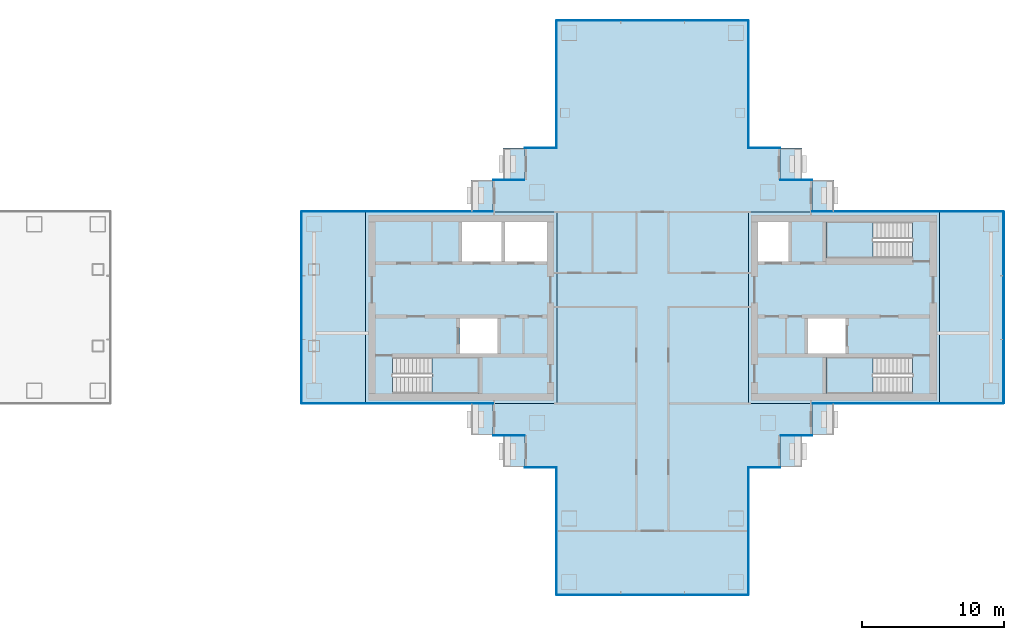
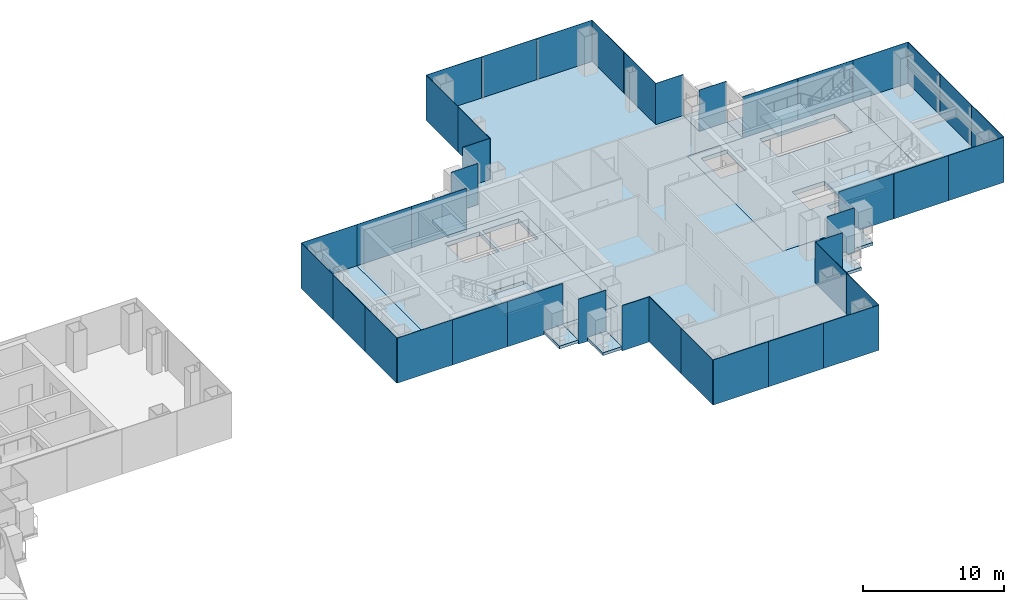
# One storey, part 8 of 17: 40 plates, 16 slabs, 23 elements without a shape of their own.
"""IFC4 building model written with IfcOpenShell, lengths in metres."""

from ifc_helpers import new_model, si_unit, direction, frame, origin, origin_2d, place, context, subcontext, project, spatial, polyline, rectangle, outline, extrude, material, layer, layer_set, type_object, element, aggregate, save


model = new_model("IFC4")

# Units and contexts
model_context = context("Model", 3, precision=1e-05, world=origin(), true_north=direction((0.0, 1.0)))
body_context = subcontext(model_context, "Body", "Model", "MODEL_VIEW")
ifc_project = project(units=[si_unit("LENGTHUNIT", "METRE"), si_unit("AREAUNIT", "SQUARE_METRE"), si_unit("VOLUMEUNIT", "CUBIC_METRE"), si_unit("PLANEANGLEUNIT", "RADIAN"), si_unit("MASSUNIT", "GRAM", prefix="KILO")], contexts=[model_context])

# Site, building, storey
site_placement = place(None, origin())
site = spatial("IfcSite", under=ifc_project, at=site_placement, CompositionType="ELEMENT")
building_placement = place(site_placement, origin())
building = spatial("IfcBuilding", under=site, at=building_placement, Name="Shamsa Quay Exchange Towers", CompositionType="ELEMENT")
storey_placement = place(building_placement, frame((0.0, 0.0, 174.0)))
storey = spatial("IfcBuildingStorey", under=building, at=storey_placement, Name="L41", CompositionType="ELEMENT", Elevation=174.0)

# Slabs
ifc_material_1 = material(Name="Precast concrete C40/50", Category="concrete")
ifc_layer_1 = layer(ifc_material_1, 0.25)
ifc_layer_set_1 = layer_set([ifc_layer_1], Name="BALCONY SLAB 250")
slab_type_1 = type_object("IfcSlabType", Name="BALCONY SLAB 250", PredefinedType="FLOOR", material=ifc_layer_set_1)
slab_1_placement = place(storey_placement, frame((0.0, 0.0, -0.25)))
element("IfcSlab", 1, at=slab_1_placement, inside=storey, type_object=slab_type_1, Name="Balcony T2-PKEN L41", PredefinedType="FLOOR", context=body_context, shape_type="SweptSolid", body=[
    extrude(outline(polyline([(24.75, 11.25), (24.75, 9.0380859375), (23.199951171875, 9.0380859375), (23.199951171875, 11.25), (24.75, 11.25)])), origin(), (0.0, 0.0, 1.0), 0.25),
])
slab_2_placement = place(storey_placement, frame((0.0, 0.0, -0.25)))
element("IfcSlab", 2, at=slab_2_placement, inside=storey, type_object=slab_type_1, Name="Balcony T2-PKEN L41", PredefinedType="FLOOR", context=body_context, shape_type="SweptSolid", body=[
    extrude(outline(polyline([(22.5, 9.0), (22.5, 6.7880859375), (20.949951171875, 6.7880859375), (20.949951171875, 9.0), (22.5, 9.0)])), origin(), (0.0, 0.0, 1.0), 0.25),
])
slab_3_placement = place(storey_placement, frame((0.0, 0.0, -0.25)))
element("IfcSlab", 3, at=slab_3_placement, inside=storey, type_object=slab_type_1, Name="Balcony T2-PKES L41", PredefinedType="FLOOR", context=body_context, shape_type="SweptSolid", body=[
    extrude(outline(polyline([(42.75, 9.0380859375), (42.75, 11.25), (44.300048828125, 11.25), (44.300048828125, 9.0380859375), (42.75, 9.0380859375)])), origin(), (0.0, 0.0, 1.0), 0.25),
])
slab_4_placement = place(storey_placement, frame((0.0, 0.0, -0.25)))
element("IfcSlab", 4, at=slab_4_placement, inside=storey, type_object=slab_type_1, Name="Balcony T2-PKES L41", PredefinedType="FLOOR", context=body_context, shape_type="SweptSolid", body=[
    extrude(outline(polyline([(45.0, 6.7880859375), (45.0, 9.0), (46.550048828125, 9.0), (46.550048828125, 6.7880859375), (45.0, 6.7880859375)])), origin(), (0.0, 0.0, 1.0), 0.25),
])
slab_5_placement = place(storey_placement, frame((0.0, 0.0, -0.25)))
element("IfcSlab", 5, at=slab_5_placement, inside=storey, type_object=slab_type_1, Name="Balcony T2-PKWN L41", PredefinedType="FLOOR", context=body_context, shape_type="SweptSolid", body=[
    extrude(outline(polyline([(22.5, -6.7880859375), (22.5, -9.0), (20.949951171875, -9.0), (20.949951171875, -6.7880859375), (22.5, -6.7880859375)])), origin(), (0.0, 0.0, 1.0), 0.25),
])
slab_6_placement = place(storey_placement, frame((0.0, 0.0, -0.25)))
element("IfcSlab", 6, at=slab_6_placement, inside=storey, type_object=slab_type_1, Name="Balcony T2-PKWN L41", PredefinedType="FLOOR", context=body_context, shape_type="SweptSolid", body=[
    extrude(outline(polyline([(24.75, -9.0380859375), (24.75, -11.25), (23.199951171875, -11.25), (23.199951171875, -9.0380859375), (24.75, -9.0380859375)])), origin(), (0.0, 0.0, 1.0), 0.25),
])
slab_7_placement = place(storey_placement, frame((0.0, 0.0, -0.25)))
element("IfcSlab", 7, at=slab_7_placement, inside=storey, type_object=slab_type_1, Name="Balcony T2-PKWS L41", PredefinedType="FLOOR", context=body_context, shape_type="SweptSolid", body=[
    extrude(outline(polyline([(42.75, -11.25), (42.75, -9.0380859375), (44.300048828125, -9.0380859375), (44.300048828125, -11.25), (42.75, -11.25)])), origin(), (0.0, 0.0, 1.0), 0.25),
])
slab_8_placement = place(storey_placement, frame((0.0, 0.0, -0.25)))
element("IfcSlab", 8, at=slab_8_placement, inside=storey, type_object=slab_type_1, Name="Balcony T2-PKWS L41", PredefinedType="FLOOR", context=body_context, shape_type="SweptSolid", body=[
    extrude(outline(polyline([(45.0, -9.0), (45.0, -6.7880859375), (46.550048828125, -6.7880859375), (46.550048828125, -9.0), (45.0, -9.0)])), origin(), (0.0, 0.0, 1.0), 0.25),
])
ifc_material_2 = material(Name="Concrete C50/60", Category="concrete")
ifc_layer_2 = layer(ifc_material_2, 0.35009765625)
ifc_layer_set_2 = layer_set([ifc_layer_2], Name="CORE FLOOR 350 C50/60")
slab_type_2 = type_object("IfcSlabType", Name="CORE FLOOR 350 C50/60", PredefinedType="FLOOR", material=ifc_layer_set_2)
slab_9_placement = place(storey_placement, frame((0.0, 0.0, -0.35009765625)))
element("IfcSlab", 9, at=slab_9_placement, inside=storey, type_object=slab_type_2, Name="Core floor T2A", PredefinedType="FLOOR", context=body_context, shape_type="SweptSolid", body=[
    extrude(outline(polyline([(13.5, -6.75), (27.0, -6.75), (27.0, 6.75), (13.5, 6.75), (13.5, -6.75)]), holes=[polyline([(15.400634765625, -6.050048828125), (15.400634765625, -3.5), (21.5, -3.5), (21.5, -6.050048828125), (15.400634765625, -6.050048828125)]), polyline([(20.300048828125, 3.25), (20.300048828125, 6.050048828125), (23.10009765625, 6.050048828125), (23.10009765625, 3.25), (20.300048828125, 3.25)]), polyline([(23.35009765625, 3.25), (23.35009765625, 6.050048828125), (26.300048828125, 6.050048828125), (26.300048828125, 3.25), (23.35009765625, 3.25)]), polyline([(20.14990234375, -3.25), (20.14990234375, -0.75), (22.800048828125, -0.75), (22.800048828125, -3.25), (20.14990234375, -3.25)])]), origin(), (0.0, 0.0, 1.0), 0.35009765625),
])
slab_10_placement = place(storey_placement, frame((0.0, 0.0, -0.35009765625)))
element("IfcSlab", 10, at=slab_10_placement, inside=storey, type_object=slab_type_2, Name="Core floor T2B", PredefinedType="FLOOR", context=body_context, shape_type="SweptSolid", body=[
    extrude(outline(polyline([(54.0, -6.75), (54.0, 6.75), (40.5, 6.75), (40.5, -6.75), (54.0, -6.75)]), holes=[polyline([(52.099365234375, -3.5), (52.099365234375, -6.050048828125), (46.0, -6.050048828125), (46.0, -3.5), (52.099365234375, -3.5)]), polyline([(52.099365234375, 6.050048828125), (52.099365234375, 3.5), (46.0, 3.5), (46.0, 6.050048828125), (52.099365234375, 6.050048828125)]), polyline([(43.35009765625, 3.25), (41.199951171875, 3.25), (41.199951171875, 6.050048828125), (43.35009765625, 6.050048828125), (43.35009765625, 3.25)]), polyline([(47.35009765625, -3.25), (44.699951171875, -3.25), (44.699951171875, -0.75), (47.35009765625, -0.75), (47.35009765625, -3.25)])]), origin(), (0.0, 0.0, 1.0), 0.35009765625),
])

# Stair, slab
ifc_material_3 = material(Name="Concrete C40/50", Category="concrete")
stair_type = type_object("IfcStairType", Name="EXIT STAIR 22 RISERS 177 MM", PredefinedType="HALF_TURN_STAIR", material=ifc_material_3)
stair_1_placement = place(storey_placement, origin())
stair_1 = element("IfcStair", 11, at=stair_1_placement, inside=storey, type_object=stair_type, Name="L41 Exit stair ST4", PredefinedType="HALF_TURN_STAIR")
ifc_layer_3 = layer(ifc_material_3, 0.199951171875)
ifc_layer_set_3 = layer_set([ifc_layer_3], Name="CORE STAIR LANDING")
slab_type_3 = type_object("IfcSlabType", Name="CORE STAIR LANDING", PredefinedType="LANDING", material=ifc_layer_set_3)
slab_11_placement = place(storey_placement, frame((0.0, 0.0, 1.75)))
slab_11 = element("IfcSlab", 12, at=slab_11_placement, type_object=slab_type_3, Name="ST4 landing 1", PredefinedType="LANDING", context=body_context, shape_type="SweptSolid", body=[
    extrude(outline(polyline([(18.199951171875, -6.050048828125), (21.5, -6.050048828125), (21.5, -3.5), (18.199951171875, -3.5), (18.199951171875, -6.050048828125)])), origin(), (0.0, 0.0, 1.0), 0.199951171875),
])
aggregate(stair_1, [slab_11])

stair_2_placement = place(storey_placement, origin())
stair_2 = element("IfcStair", 13, at=stair_2_placement, inside=storey, type_object=stair_type, Name="L41 Exit stair ST5", PredefinedType="HALF_TURN_STAIR")
slab_12_placement = place(storey_placement, frame((0.0, 0.0, 1.75)))
slab_12 = element("IfcSlab", 14, at=slab_12_placement, type_object=slab_type_3, Name="ST5 landing 1", PredefinedType="LANDING", context=body_context, shape_type="SweptSolid", body=[
    extrude(outline(polyline([(49.300048828125, -3.5), (46.0, -3.5), (46.0, -6.050048828125), (49.300048828125, -6.050048828125), (49.300048828125, -3.5)])), origin(), (0.0, 0.0, 1.0), 0.199951171875),
])
aggregate(stair_2, [slab_12])

stair_3_placement = place(storey_placement, origin())
stair_3 = element("IfcStair", 15, at=stair_3_placement, inside=storey, type_object=stair_type, Name="L41 Exit stair ST6", PredefinedType="HALF_TURN_STAIR")
slab_13_placement = place(storey_placement, frame((0.0, 0.0, 1.75)))
slab_13 = element("IfcSlab", 16, at=slab_13_placement, type_object=slab_type_3, Name="ST6 landing 1", PredefinedType="LANDING", context=body_context, shape_type="SweptSolid", body=[
    extrude(outline(polyline([(49.300048828125, 6.050048828125), (46.0, 6.050048828125), (46.0, 3.5), (49.300048828125, 3.5), (49.300048828125, 6.050048828125)])), origin(), (0.0, 0.0, 1.0), 0.199951171875),
])
aggregate(stair_3, [slab_13])

# Curtain wall, plate
ifc_material_4 = material(Name="Aluminium EN AW-6063 T6, black anodised", Category="aluminium")
ifc_layer_4 = layer(ifc_material_4, 0.280029296875)
ifc_layer_set_4 = layer_set([ifc_layer_4], Name="CW-1 UNITISED VISION GLASS")
curtain_wall_type_1 = type_object("IfcCurtainWallType", Name="CW-1 UNITISED VISION GLASS", PredefinedType="NOTDEFINED", material=ifc_layer_set_4)
curtain_wall_1_placement = place(storey_placement, origin())
curtain_wall_1 = element("IfcCurtainWall", 17, at=curtain_wall_1_placement, inside=storey, type_object=curtain_wall_type_1, Name="CW1 T2-FLK-V-W L41", PredefinedType="NOTDEFINED")
ifc_material_5 = material(Name="Glass, laminated, dark tinted", Category="glass")
ifc_layer_5 = layer(ifc_material_5, 0.0400390625)
ifc_layer_set_5 = layer_set([ifc_layer_5], Name="CW-1 VISION GLASS 40")
plate_type_1 = type_object("IfcPlateType", Name="CW-1 VISION GLASS 40", PredefinedType="CURTAIN_PANEL", material=ifc_layer_set_5)
plate_1_placement = place(storey_placement, frame((56.25, -6.77001953125, -0.349853515625)))
plate_1 = element("IfcPlate", 18, at=plate_1_placement, type_object=plate_type_1, Name="CW1 glass panel", PredefinedType="CURTAIN_PANEL", context=body_context, shape_type="SweptSolid", body=[
    extrude(rectangle(XDim=4.5, YDim=0.0400390625, at=origin_2d()), origin(), (0.0, 0.0, 1.0), 3.89990234375),
])
aggregate(curtain_wall_1, [plate_1])

# Curtain wall, plates
curtain_wall_2_placement = place(storey_placement, origin())
curtain_wall_2 = element("IfcCurtainWall", 19, at=curtain_wall_2_placement, inside=storey, type_object=curtain_wall_type_1, Name="CW1 T2-END-V- L41", PredefinedType="NOTDEFINED")
plate_2_placement = place(storey_placement, frame((58.52001953125, -4.50244140625, -0.349853515625), z_axis=(0.0, 0.0, 1.0), x_axis=(0.0, 1.0, 0.0)))
plate_2 = element("IfcPlate", 20, at=plate_2_placement, type_object=plate_type_1, Name="CW1 glass panel", PredefinedType="CURTAIN_PANEL", context=body_context, shape_type="SweptSolid", body=[
    extrude(rectangle(XDim=4.4951171875, YDim=0.0400390625, at=origin_2d()), origin(), (0.0, 0.0, 1.0), 3.89990234375),
])
plate_3_placement = place(storey_placement, frame((58.52001953125, 0.0, -0.349853515625), z_axis=(0.0, 0.0, 1.0), x_axis=(0.0, 1.0, 0.0)))
plate_3 = element("IfcPlate", 21, at=plate_3_placement, type_object=plate_type_1, Name="CW1 glass panel", PredefinedType="CURTAIN_PANEL", context=body_context, shape_type="SweptSolid", body=[
    extrude(rectangle(XDim=4.489990234375, YDim=0.0400390625, at=origin_2d()), origin(), (0.0, 0.0, 1.0), 3.89990234375),
])
plate_4_placement = place(storey_placement, frame((58.52001953125, 4.50244140625, -0.349853515625), z_axis=(0.0, 0.0, 1.0), x_axis=(0.0, 1.0, 0.0)))
plate_4 = element("IfcPlate", 22, at=plate_4_placement, type_object=plate_type_1, Name="CW1 glass panel", PredefinedType="CURTAIN_PANEL", context=body_context, shape_type="SweptSolid", body=[
    extrude(rectangle(XDim=4.4951171875, YDim=0.0400390625, at=origin_2d()), origin(), (0.0, 0.0, 1.0), 3.89990234375),
])
aggregate(curtain_wall_2, [plate_2, plate_3, plate_4])

# Curtain wall, plate
curtain_wall_3_placement = place(storey_placement, origin())
curtain_wall_3 = element("IfcCurtainWall", 23, at=curtain_wall_3_placement, inside=storey, type_object=curtain_wall_type_1, Name="CW1 T2-FLK-V-E L41", PredefinedType="NOTDEFINED")
plate_5_placement = place(storey_placement, frame((56.25, 6.77001953125, -0.349853515625), z_axis=(0.0, 0.0, 1.0), x_axis=(-1.0, 0.0, 0.0)))
plate_5 = element("IfcPlate", 24, at=plate_5_placement, type_object=plate_type_1, Name="CW1 glass panel", PredefinedType="CURTAIN_PANEL", context=body_context, shape_type="SweptSolid", body=[
    extrude(rectangle(XDim=4.5, YDim=0.0400390625, at=origin_2d()), origin(), (0.0, 0.0, 1.0), 3.89990234375),
])
aggregate(curtain_wall_3, [plate_5])

# Curtain wall, plates
curtain_wall_4_placement = place(storey_placement, origin())
curtain_wall_4 = element("IfcCurtainWall", 25, at=curtain_wall_4_placement, inside=storey, type_object=curtain_wall_type_1, Name="CW1 T2-FLK-U+S L41", PredefinedType="NOTDEFINED")
plate_6_placement = place(storey_placement, frame((40.52001953125, 13.52587890625, -0.349853515625), z_axis=(0.0, 0.0, 1.0), x_axis=(0.0, 1.0, 0.0)))
plate_6 = element("IfcPlate", 26, at=plate_6_placement, type_object=plate_type_1, Name="CW1 glass panel", PredefinedType="CURTAIN_PANEL", context=body_context, shape_type="SweptSolid", body=[
    extrude(rectangle(XDim=4.47607421875, YDim=0.0400390625, at=origin_2d()), origin(), (0.0, 0.0, 1.0), 3.89990234375),
])
plate_7_placement = place(storey_placement, frame((40.52001953125, 18.011962890625, -0.349853515625), z_axis=(0.0, 0.0, 1.0), x_axis=(0.0, 1.0, 0.0)))
plate_7 = element("IfcPlate", 27, at=plate_7_placement, type_object=plate_type_1, Name="CW1 glass panel", PredefinedType="CURTAIN_PANEL", context=body_context, shape_type="SweptSolid", body=[
    extrude(rectangle(XDim=4.47607421875, YDim=0.0400390625, at=origin_2d()), origin(), (0.0, 0.0, 1.0), 3.89990234375),
])
aggregate(curtain_wall_4, [plate_6, plate_7])

curtain_wall_5_placement = place(storey_placement, origin())
curtain_wall_5 = element("IfcCurtainWall", 28, at=curtain_wall_5_placement, inside=storey, type_object=curtain_wall_type_1, Name="CW1 T2-END-U+ L41", PredefinedType="NOTDEFINED")
plate_8_placement = place(storey_placement, frame((38.25244140625, 20.27001953125, -0.349853515625), z_axis=(0.0, 0.0, 1.0), x_axis=(-1.0, 0.0, 0.0)))
plate_8 = element("IfcPlate", 29, at=plate_8_placement, type_object=plate_type_1, Name="CW1 glass panel", PredefinedType="CURTAIN_PANEL", context=body_context, shape_type="SweptSolid", body=[
    extrude(rectangle(XDim=4.4951171875, YDim=0.0400390625, at=origin_2d()), origin(), (0.0, 0.0, 1.0), 3.89990234375),
])
plate_9_placement = place(storey_placement, frame((33.75, 20.27001953125, -0.349853515625), z_axis=(0.0, 0.0, 1.0), x_axis=(-1.0, 0.0, 0.0)))
plate_9 = element("IfcPlate", 30, at=plate_9_placement, type_object=plate_type_1, Name="CW1 glass panel", PredefinedType="CURTAIN_PANEL", context=body_context, shape_type="SweptSolid", body=[
    extrude(rectangle(XDim=4.489990234375, YDim=0.0400390625, at=origin_2d()), origin(), (0.0, 0.0, 1.0), 3.89990234375),
])
plate_10_placement = place(storey_placement, frame((29.24755859375, 20.27001953125, -0.349853515625), z_axis=(0.0, 0.0, 1.0), x_axis=(-1.0, 0.0, 0.0)))
plate_10 = element("IfcPlate", 31, at=plate_10_placement, type_object=plate_type_1, Name="CW1 glass panel", PredefinedType="CURTAIN_PANEL", context=body_context, shape_type="SweptSolid", body=[
    extrude(rectangle(XDim=4.4951171875, YDim=0.0400390625, at=origin_2d()), origin(), (0.0, 0.0, 1.0), 3.89990234375),
])
aggregate(curtain_wall_5, [plate_8, plate_9, plate_10])

curtain_wall_6_placement = place(storey_placement, origin())
curtain_wall_6 = element("IfcCurtainWall", 32, at=curtain_wall_6_placement, inside=storey, type_object=curtain_wall_type_1, Name="CW1 T2-FLK-U+N L41", PredefinedType="NOTDEFINED")
plate_11_placement = place(storey_placement, frame((26.97998046875, 18.00244140625, -0.349853515625), z_axis=(0.0, 0.0, 1.0), x_axis=(0.0, -1.0, 0.0)))
plate_11 = element("IfcPlate", 33, at=plate_11_placement, type_object=plate_type_1, Name="CW1 glass panel", PredefinedType="CURTAIN_PANEL", context=body_context, shape_type="SweptSolid", body=[
    extrude(rectangle(XDim=4.4951171875, YDim=0.0400390625, at=origin_2d()), origin(), (0.0, 0.0, 1.0), 3.89990234375),
])
plate_12_placement = place(storey_placement, frame((26.97998046875, 13.49755859375, -0.349853515625), z_axis=(0.0, 0.0, 1.0), x_axis=(0.0, -1.0, 0.0)))
plate_12 = element("IfcPlate", 34, at=plate_12_placement, type_object=plate_type_1, Name="CW1 glass panel", PredefinedType="CURTAIN_PANEL", context=body_context, shape_type="SweptSolid", body=[
    extrude(rectangle(XDim=4.4951171875, YDim=0.0400390625, at=origin_2d()), origin(), (0.0, 0.0, 1.0), 3.89990234375),
])
aggregate(curtain_wall_6, [plate_11, plate_12])

# Curtain wall, plate
curtain_wall_7_placement = place(storey_placement, origin())
curtain_wall_7 = element("IfcCurtainWall", 35, at=curtain_wall_7_placement, inside=storey, type_object=curtain_wall_type_1, Name="CW1 T2-FLK-V+E L41", PredefinedType="NOTDEFINED")
plate_13_placement = place(storey_placement, frame((11.25, 6.77001953125, -0.349853515625), z_axis=(0.0, 0.0, 1.0), x_axis=(-1.0, 0.0, 0.0)))
plate_13 = element("IfcPlate", 36, at=plate_13_placement, type_object=plate_type_1, Name="CW1 glass panel", PredefinedType="CURTAIN_PANEL", context=body_context, shape_type="SweptSolid", body=[
    extrude(rectangle(XDim=4.5, YDim=0.0400390625, at=origin_2d()), origin(), (0.0, 0.0, 1.0), 3.89990234375),
])
aggregate(curtain_wall_7, [plate_13])

# Curtain wall, plates
curtain_wall_8_placement = place(storey_placement, origin())
curtain_wall_8 = element("IfcCurtainWall", 37, at=curtain_wall_8_placement, inside=storey, type_object=curtain_wall_type_1, Name="CW1 T2-END-V+ L41", PredefinedType="NOTDEFINED")
plate_14_placement = place(storey_placement, frame((8.97998046875, 4.50244140625, -0.349853515625), z_axis=(0.0, 0.0, 1.0), x_axis=(0.0, -1.0, 0.0)))
plate_14 = element("IfcPlate", 38, at=plate_14_placement, type_object=plate_type_1, Name="CW1 glass panel", PredefinedType="CURTAIN_PANEL", context=body_context, shape_type="SweptSolid", body=[
    extrude(rectangle(XDim=4.4951171875, YDim=0.0400390625, at=origin_2d()), origin(), (0.0, 0.0, 1.0), 3.89990234375),
])
plate_15_placement = place(storey_placement, frame((8.97998046875, 0.0, -0.349853515625), z_axis=(0.0, 0.0, 1.0), x_axis=(0.0, -1.0, 0.0)))
plate_15 = element("IfcPlate", 39, at=plate_15_placement, type_object=plate_type_1, Name="CW1 glass panel", PredefinedType="CURTAIN_PANEL", context=body_context, shape_type="SweptSolid", body=[
    extrude(rectangle(XDim=4.489990234375, YDim=0.0400390625, at=origin_2d()), origin(), (0.0, 0.0, 1.0), 3.89990234375),
])
plate_16_placement = place(storey_placement, frame((8.97998046875, -4.50244140625, -0.349853515625), z_axis=(0.0, 0.0, 1.0), x_axis=(0.0, -1.0, 0.0)))
plate_16 = element("IfcPlate", 40, at=plate_16_placement, type_object=plate_type_1, Name="CW1 glass panel", PredefinedType="CURTAIN_PANEL", context=body_context, shape_type="SweptSolid", body=[
    extrude(rectangle(XDim=4.4951171875, YDim=0.0400390625, at=origin_2d()), origin(), (0.0, 0.0, 1.0), 3.89990234375),
])
aggregate(curtain_wall_8, [plate_14, plate_15, plate_16])

# Curtain wall, plate
curtain_wall_9_placement = place(storey_placement, origin())
curtain_wall_9 = element("IfcCurtainWall", 41, at=curtain_wall_9_placement, inside=storey, type_object=curtain_wall_type_1, Name="CW1 T2-FLK-V+W L41", PredefinedType="NOTDEFINED")
plate_17_placement = place(storey_placement, frame((11.25, -6.77001953125, -0.349853515625)))
plate_17 = element("IfcPlate", 42, at=plate_17_placement, type_object=plate_type_1, Name="CW1 glass panel", PredefinedType="CURTAIN_PANEL", context=body_context, shape_type="SweptSolid", body=[
    extrude(rectangle(XDim=4.5, YDim=0.0400390625, at=origin_2d()), origin(), (0.0, 0.0, 1.0), 3.89990234375),
])
aggregate(curtain_wall_9, [plate_17])

# Curtain wall, plates
curtain_wall_10_placement = place(storey_placement, origin())
curtain_wall_10 = element("IfcCurtainWall", 43, at=curtain_wall_10_placement, inside=storey, type_object=curtain_wall_type_1, Name="CW1 T2-FLK-U-N L41", PredefinedType="NOTDEFINED")
plate_18_placement = place(storey_placement, frame((26.97998046875, -13.52587890625, -0.349853515625), z_axis=(0.0, 0.0, 1.0), x_axis=(0.0, -1.0, 0.0)))
plate_18 = element("IfcPlate", 44, at=plate_18_placement, type_object=plate_type_1, Name="CW1 glass panel", PredefinedType="CURTAIN_PANEL", context=body_context, shape_type="SweptSolid", body=[
    extrude(rectangle(XDim=4.47607421875, YDim=0.0400390625, at=origin_2d()), origin(), (0.0, 0.0, 1.0), 3.89990234375),
])
plate_19_placement = place(storey_placement, frame((26.97998046875, -18.011962890625, -0.349853515625), z_axis=(0.0, 0.0, 1.0), x_axis=(0.0, -1.0, 0.0)))
plate_19 = element("IfcPlate", 45, at=plate_19_placement, type_object=plate_type_1, Name="CW1 glass panel", PredefinedType="CURTAIN_PANEL", context=body_context, shape_type="SweptSolid", body=[
    extrude(rectangle(XDim=4.47607421875, YDim=0.0400390625, at=origin_2d()), origin(), (0.0, 0.0, 1.0), 3.89990234375),
])
aggregate(curtain_wall_10, [plate_18, plate_19])

curtain_wall_11_placement = place(storey_placement, origin())
curtain_wall_11 = element("IfcCurtainWall", 46, at=curtain_wall_11_placement, inside=storey, type_object=curtain_wall_type_1, Name="CW1 T2-END-U- L41", PredefinedType="NOTDEFINED")
plate_20_placement = place(storey_placement, frame((29.24755859375, -20.27001953125, -0.349853515625)))
plate_20 = element("IfcPlate", 47, at=plate_20_placement, type_object=plate_type_1, Name="CW1 glass panel", PredefinedType="CURTAIN_PANEL", context=body_context, shape_type="SweptSolid", body=[
    extrude(rectangle(XDim=4.4951171875, YDim=0.0400390625, at=origin_2d()), origin(), (0.0, 0.0, 1.0), 3.89990234375),
])
plate_21_placement = place(storey_placement, frame((33.75, -20.27001953125, -0.349853515625)))
plate_21 = element("IfcPlate", 48, at=plate_21_placement, type_object=plate_type_1, Name="CW1 glass panel", PredefinedType="CURTAIN_PANEL", context=body_context, shape_type="SweptSolid", body=[
    extrude(rectangle(XDim=4.489990234375, YDim=0.0400390625, at=origin_2d()), origin(), (0.0, 0.0, 1.0), 3.89990234375),
])
plate_22_placement = place(storey_placement, frame((38.25244140625, -20.27001953125, -0.349853515625)))
plate_22 = element("IfcPlate", 49, at=plate_22_placement, type_object=plate_type_1, Name="CW1 glass panel", PredefinedType="CURTAIN_PANEL", context=body_context, shape_type="SweptSolid", body=[
    extrude(rectangle(XDim=4.4951171875, YDim=0.0400390625, at=origin_2d()), origin(), (0.0, 0.0, 1.0), 3.89990234375),
])
aggregate(curtain_wall_11, [plate_20, plate_21, plate_22])

curtain_wall_12_placement = place(storey_placement, origin())
curtain_wall_12 = element("IfcCurtainWall", 50, at=curtain_wall_12_placement, inside=storey, type_object=curtain_wall_type_1, Name="CW1 T2-FLK-U-S L41", PredefinedType="NOTDEFINED")
plate_23_placement = place(storey_placement, frame((40.52001953125, -18.00244140625, -0.349853515625), z_axis=(0.0, 0.0, 1.0), x_axis=(0.0, 1.0, 0.0)))
plate_23 = element("IfcPlate", 51, at=plate_23_placement, type_object=plate_type_1, Name="CW1 glass panel", PredefinedType="CURTAIN_PANEL", context=body_context, shape_type="SweptSolid", body=[
    extrude(rectangle(XDim=4.4951171875, YDim=0.0400390625, at=origin_2d()), origin(), (0.0, 0.0, 1.0), 3.89990234375),
])
plate_24_placement = place(storey_placement, frame((40.52001953125, -13.49755859375, -0.349853515625), z_axis=(0.0, 0.0, 1.0), x_axis=(0.0, 1.0, 0.0)))
plate_24 = element("IfcPlate", 52, at=plate_24_placement, type_object=plate_type_1, Name="CW1 glass panel", PredefinedType="CURTAIN_PANEL", context=body_context, shape_type="SweptSolid", body=[
    extrude(rectangle(XDim=4.4951171875, YDim=0.0400390625, at=origin_2d()), origin(), (0.0, 0.0, 1.0), 3.89990234375),
])
aggregate(curtain_wall_12, [plate_23, plate_24])

ifc_layer_6 = layer(ifc_material_4, 0.303955078125)
ifc_layer_set_6 = layer_set([ifc_layer_6], Name="CW-2 UNITISED OPAQUE SPANDREL GLASS")
curtain_wall_type_2 = type_object("IfcCurtainWallType", Name="CW-2 UNITISED OPAQUE SPANDREL GLASS", PredefinedType="NOTDEFINED", material=ifc_layer_set_6)
curtain_wall_13_placement = place(storey_placement, origin())
curtain_wall_13 = element("IfcCurtainWall", 53, at=curtain_wall_13_placement, inside=storey, type_object=curtain_wall_type_2, Name="CW2 T2-FLK-V-W L41", PredefinedType="NOTDEFINED")
ifc_material_6 = material(Name="Glass, laminated, black enamelled opaque", Category="glass")
ifc_layer_7 = layer(ifc_material_6, 0.0439453125)
ifc_layer_set_7 = layer_set([ifc_layer_7], Name="CW-2 SPANDREL GLASS 44")
plate_type_2 = type_object("IfcPlateType", Name="CW-2 SPANDREL GLASS 44", PredefinedType="CURTAIN_PANEL", material=ifc_layer_set_7)
plate_25_placement = place(storey_placement, frame((47.27587890625, -6.77197265625, -0.349853515625)))
plate_25 = element("IfcPlate", 54, at=plate_25_placement, type_object=plate_type_2, Name="CW2 glass panel", PredefinedType="CURTAIN_PANEL", context=body_context, shape_type="SweptSolid", body=[
    extrude(rectangle(XDim=4.47607421875, YDim=0.0439453125, at=origin_2d()), origin(), (0.0, 0.0, 1.0), 3.89990234375),
])
plate_26_placement = place(storey_placement, frame((51.761962890625, -6.77197265625, -0.349853515625)))
plate_26 = element("IfcPlate", 55, at=plate_26_placement, type_object=plate_type_2, Name="CW2 glass panel", PredefinedType="CURTAIN_PANEL", context=body_context, shape_type="SweptSolid", body=[
    extrude(rectangle(XDim=4.47607421875, YDim=0.0439453125, at=origin_2d()), origin(), (0.0, 0.0, 1.0), 3.89990234375),
])
aggregate(curtain_wall_13, [plate_25, plate_26])

curtain_wall_14_placement = place(storey_placement, origin())
curtain_wall_14 = element("IfcCurtainWall", 56, at=curtain_wall_14_placement, inside=storey, type_object=curtain_wall_type_2, Name="CW2 T2-FLK-V-E L41", PredefinedType="NOTDEFINED")
plate_27_placement = place(storey_placement, frame((51.75244140625, 6.77197265625, -0.349853515625), z_axis=(0.0, 0.0, 1.0), x_axis=(-1.0, 0.0, 0.0)))
plate_27 = element("IfcPlate", 57, at=plate_27_placement, type_object=plate_type_2, Name="CW2 glass panel", PredefinedType="CURTAIN_PANEL", context=body_context, shape_type="SweptSolid", body=[
    extrude(rectangle(XDim=4.4951171875, YDim=0.0439453125, at=origin_2d()), origin(), (0.0, 0.0, 1.0), 3.89990234375),
])
plate_28_placement = place(storey_placement, frame((47.24755859375, 6.77197265625, -0.349853515625), z_axis=(0.0, 0.0, 1.0), x_axis=(-1.0, 0.0, 0.0)))
plate_28 = element("IfcPlate", 58, at=plate_28_placement, type_object=plate_type_2, Name="CW2 glass panel", PredefinedType="CURTAIN_PANEL", context=body_context, shape_type="SweptSolid", body=[
    extrude(rectangle(XDim=4.4951171875, YDim=0.0439453125, at=origin_2d()), origin(), (0.0, 0.0, 1.0), 3.89990234375),
])
aggregate(curtain_wall_14, [plate_27, plate_28])

curtain_wall_15_placement = place(storey_placement, origin())
curtain_wall_15 = element("IfcCurtainWall", 59, at=curtain_wall_15_placement, inside=storey, type_object=curtain_wall_type_2, Name="CW2 T2-FLK-V+E L41", PredefinedType="NOTDEFINED")
plate_29_placement = place(storey_placement, frame((20.22412109375, 6.77197265625, -0.349853515625), z_axis=(0.0, 0.0, 1.0), x_axis=(-1.0, 0.0, 0.0)))
plate_29 = element("IfcPlate", 60, at=plate_29_placement, type_object=plate_type_2, Name="CW2 glass panel", PredefinedType="CURTAIN_PANEL", context=body_context, shape_type="SweptSolid", body=[
    extrude(rectangle(XDim=4.47607421875, YDim=0.0439453125, at=origin_2d()), origin(), (0.0, 0.0, 1.0), 3.89990234375),
])
plate_30_placement = place(storey_placement, frame((15.738037109375, 6.77197265625, -0.349853515625), z_axis=(0.0, 0.0, 1.0), x_axis=(-1.0, 0.0, 0.0)))
plate_30 = element("IfcPlate", 61, at=plate_30_placement, type_object=plate_type_2, Name="CW2 glass panel", PredefinedType="CURTAIN_PANEL", context=body_context, shape_type="SweptSolid", body=[
    extrude(rectangle(XDim=4.47607421875, YDim=0.0439453125, at=origin_2d()), origin(), (0.0, 0.0, 1.0), 3.89990234375),
])
aggregate(curtain_wall_15, [plate_29, plate_30])

curtain_wall_16_placement = place(storey_placement, origin())
curtain_wall_16 = element("IfcCurtainWall", 62, at=curtain_wall_16_placement, inside=storey, type_object=curtain_wall_type_2, Name="CW2 T2-FLK-V+W L41", PredefinedType="NOTDEFINED")
plate_31_placement = place(storey_placement, frame((15.74755859375, -6.77197265625, -0.349853515625)))
plate_31 = element("IfcPlate", 63, at=plate_31_placement, type_object=plate_type_2, Name="CW2 glass panel", PredefinedType="CURTAIN_PANEL", context=body_context, shape_type="SweptSolid", body=[
    extrude(rectangle(XDim=4.4951171875, YDim=0.0439453125, at=origin_2d()), origin(), (0.0, 0.0, 1.0), 3.89990234375),
])
plate_32_placement = place(storey_placement, frame((20.25244140625, -6.77197265625, -0.349853515625)))
plate_32 = element("IfcPlate", 64, at=plate_32_placement, type_object=plate_type_2, Name="CW2 glass panel", PredefinedType="CURTAIN_PANEL", context=body_context, shape_type="SweptSolid", body=[
    extrude(rectangle(XDim=4.4951171875, YDim=0.0439453125, at=origin_2d()), origin(), (0.0, 0.0, 1.0), 3.89990234375),
])
aggregate(curtain_wall_16, [plate_31, plate_32])

ifc_layer_8 = layer(ifc_material_4, 0.256103515625)
ifc_layer_set_8 = layer_set([ifc_layer_8], Name="CW-4 POCKET SERRATED GLAZING")
curtain_wall_type_3 = type_object("IfcCurtainWallType", Name="CW-4 POCKET SERRATED GLAZING", PredefinedType="NOTDEFINED", material=ifc_layer_set_8)
curtain_wall_17_placement = place(storey_placement, origin())
curtain_wall_17 = element("IfcCurtainWall", 65, at=curtain_wall_17_placement, inside=storey, type_object=curtain_wall_type_3, Name="CW4 PKWS L41", PredefinedType="NOTDEFINED")
ifc_layer_9 = layer(ifc_material_5, 0.035888671875)
ifc_layer_set_9 = layer_set([ifc_layer_9], Name="CW-4 POCKET GLASS 36")
plate_type_3 = type_object("IfcPlateType", Name="CW-4 POCKET GLASS 36", PredefinedType="CURTAIN_PANEL", material=ifc_layer_set_9)
plate_33_placement = place(storey_placement, frame((43.89404296875, -9.01806640625, -0.349853515625)))
plate_33 = element("IfcPlate", 66, at=plate_33_placement, type_object=plate_type_3, Name="CW4 glass panel", PredefinedType="CURTAIN_PANEL", context=body_context, shape_type="SweptSolid", body=[
    extrude(rectangle(XDim=2.2119140625, YDim=0.035888671875, at=origin_2d()), origin(), (0.0, 0.0, 1.0), 3.89990234375),
])
plate_34_placement = place(storey_placement, frame((41.64599609375, -11.26806640625, -0.349853515625)))
plate_34 = element("IfcPlate", 67, at=plate_34_placement, type_object=plate_type_3, Name="CW4 glass panel", PredefinedType="CURTAIN_PANEL", context=body_context, shape_type="SweptSolid", body=[
    extrude(rectangle(XDim=2.2080078125, YDim=0.035888671875, at=origin_2d()), origin(), (0.0, 0.0, 1.0), 3.89990234375),
])
aggregate(curtain_wall_17, [plate_33, plate_34])

curtain_wall_18_placement = place(storey_placement, origin())
curtain_wall_18 = element("IfcCurtainWall", 68, at=curtain_wall_18_placement, inside=storey, type_object=curtain_wall_type_3, Name="CW4 PKES L41", PredefinedType="NOTDEFINED")
plate_35_placement = place(storey_placement, frame((43.875, 9.01806640625, -0.349853515625), z_axis=(0.0, 0.0, 1.0), x_axis=(-1.0, 0.0, 0.0)))
plate_35 = element("IfcPlate", 69, at=plate_35_placement, type_object=plate_type_3, Name="CW4 glass panel", PredefinedType="CURTAIN_PANEL", context=body_context, shape_type="SweptSolid", body=[
    extrude(rectangle(XDim=2.25, YDim=0.035888671875, at=origin_2d()), origin(), (0.0, 0.0, 1.0), 3.89990234375),
])
plate_36_placement = place(storey_placement, frame((41.625, 11.26806640625, -0.349853515625), z_axis=(0.0, 0.0, 1.0), x_axis=(-1.0, 0.0, 0.0)))
plate_36 = element("IfcPlate", 70, at=plate_36_placement, type_object=plate_type_3, Name="CW4 glass panel", PredefinedType="CURTAIN_PANEL", context=body_context, shape_type="SweptSolid", body=[
    extrude(rectangle(XDim=2.25, YDim=0.035888671875, at=origin_2d()), origin(), (0.0, 0.0, 1.0), 3.89990234375),
])
aggregate(curtain_wall_18, [plate_35, plate_36])

curtain_wall_19_placement = place(storey_placement, origin())
curtain_wall_19 = element("IfcCurtainWall", 71, at=curtain_wall_19_placement, inside=storey, type_object=curtain_wall_type_3, Name="CW4 PKEN L41", PredefinedType="NOTDEFINED")
plate_37_placement = place(storey_placement, frame((25.85400390625, 11.26806640625, -0.349853515625), z_axis=(0.0, 0.0, 1.0), x_axis=(-1.0, 0.0, 0.0)))
plate_37 = element("IfcPlate", 72, at=plate_37_placement, type_object=plate_type_3, Name="CW4 glass panel", PredefinedType="CURTAIN_PANEL", context=body_context, shape_type="SweptSolid", body=[
    extrude(rectangle(XDim=2.2080078125, YDim=0.035888671875, at=origin_2d()), origin(), (0.0, 0.0, 1.0), 3.89990234375),
])
plate_38_placement = place(storey_placement, frame((23.60595703125, 9.01806640625, -0.349853515625), z_axis=(0.0, 0.0, 1.0), x_axis=(-1.0, 0.0, 0.0)))
plate_38 = element("IfcPlate", 73, at=plate_38_placement, type_object=plate_type_3, Name="CW4 glass panel", PredefinedType="CURTAIN_PANEL", context=body_context, shape_type="SweptSolid", body=[
    extrude(rectangle(XDim=2.2119140625, YDim=0.035888671875, at=origin_2d()), origin(), (0.0, 0.0, 1.0), 3.89990234375),
])
aggregate(curtain_wall_19, [plate_37, plate_38])

curtain_wall_20_placement = place(storey_placement, origin())
curtain_wall_20 = element("IfcCurtainWall", 74, at=curtain_wall_20_placement, inside=storey, type_object=curtain_wall_type_3, Name="CW4 PKWN L41", PredefinedType="NOTDEFINED")
plate_39_placement = place(storey_placement, frame((23.625, -9.01806640625, -0.349853515625)))
plate_39 = element("IfcPlate", 75, at=plate_39_placement, type_object=plate_type_3, Name="CW4 glass panel", PredefinedType="CURTAIN_PANEL", context=body_context, shape_type="SweptSolid", body=[
    extrude(rectangle(XDim=2.25, YDim=0.035888671875, at=origin_2d()), origin(), (0.0, 0.0, 1.0), 3.89990234375),
])
plate_40_placement = place(storey_placement, frame((25.875, -11.26806640625, -0.349853515625)))
plate_40 = element("IfcPlate", 76, at=plate_40_placement, type_object=plate_type_3, Name="CW4 glass panel", PredefinedType="CURTAIN_PANEL", context=body_context, shape_type="SweptSolid", body=[
    extrude(rectangle(XDim=2.25, YDim=0.035888671875, at=origin_2d()), origin(), (0.0, 0.0, 1.0), 3.89990234375),
])
aggregate(curtain_wall_20, [plate_39, plate_40])

# Slabs
ifc_layer_10 = layer(ifc_material_3, 0.35009765625)
ifc_layer_set_10 = layer_set([ifc_layer_10], Name="Flat slab 350")
slab_type_4 = type_object("IfcSlabType", Name="Flat slab 350", PredefinedType="FLOOR", material=ifc_layer_set_10)
slab_14_placement = place(storey_placement, frame((0.0, 0.0, -0.35009765625)))
element("IfcSlab", 77, at=slab_14_placement, inside=storey, type_object=slab_type_4, Name="Flat slab T2 L41 4", PredefinedType="FLOOR", context=body_context, shape_type="SweptSolid", body=[
    extrude(outline(polyline([(9.0, -6.75), (13.5, -6.75), (13.5, 6.75), (9.0, 6.75), (9.0, -6.75)])), origin(), (0.0, 0.0, 1.0), 0.35009765625),
])
slab_15_placement = place(storey_placement, frame((0.0, 0.0, -0.35009765625)))
element("IfcSlab", 78, at=slab_15_placement, inside=storey, type_object=slab_type_4, Name="Flat slab T2 L41 5", PredefinedType="FLOOR", context=body_context, shape_type="SweptSolid", body=[
    extrude(outline(polyline([(45.0, -9.0), (45.0, -6.75), (40.5, -6.75), (40.5, 6.75), (45.0, 6.75), (45.0, 9.0), (42.75, 9.0), (42.75, 11.25), (40.5, 11.25), (40.5, 20.25), (27.0, 20.25), (27.0, 11.25), (24.75, 11.25), (24.75, 9.0), (22.5, 9.0), (22.5, 6.75), (27.0, 6.75), (27.0, -6.75), (22.5, -6.75), (22.5, -9.0), (24.75, -9.0), (24.75, -11.25), (27.0, -11.25), (27.0, -20.25), (40.5, -20.25), (40.5, -11.25), (42.75, -11.25), (42.75, -9.0), (45.0, -9.0)])), origin(), (0.0, 0.0, 1.0), 0.35009765625),
])
slab_16_placement = place(storey_placement, frame((0.0, 0.0, -0.35009765625)))
element("IfcSlab", 79, at=slab_16_placement, inside=storey, type_object=slab_type_4, Name="Flat slab T2 L41 6", PredefinedType="FLOOR", context=body_context, shape_type="SweptSolid", body=[
    extrude(outline(polyline([(58.5, 6.75), (54.0, 6.75), (54.0, -6.75), (58.5, -6.75), (58.5, 6.75)])), origin(), (0.0, 0.0, 1.0), 0.35009765625),
])

save(model, "model.ifc")
